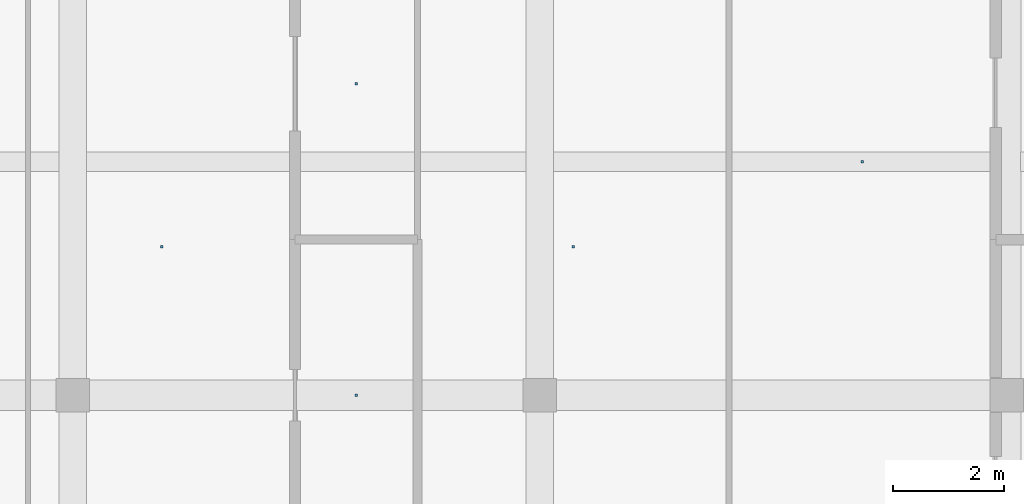
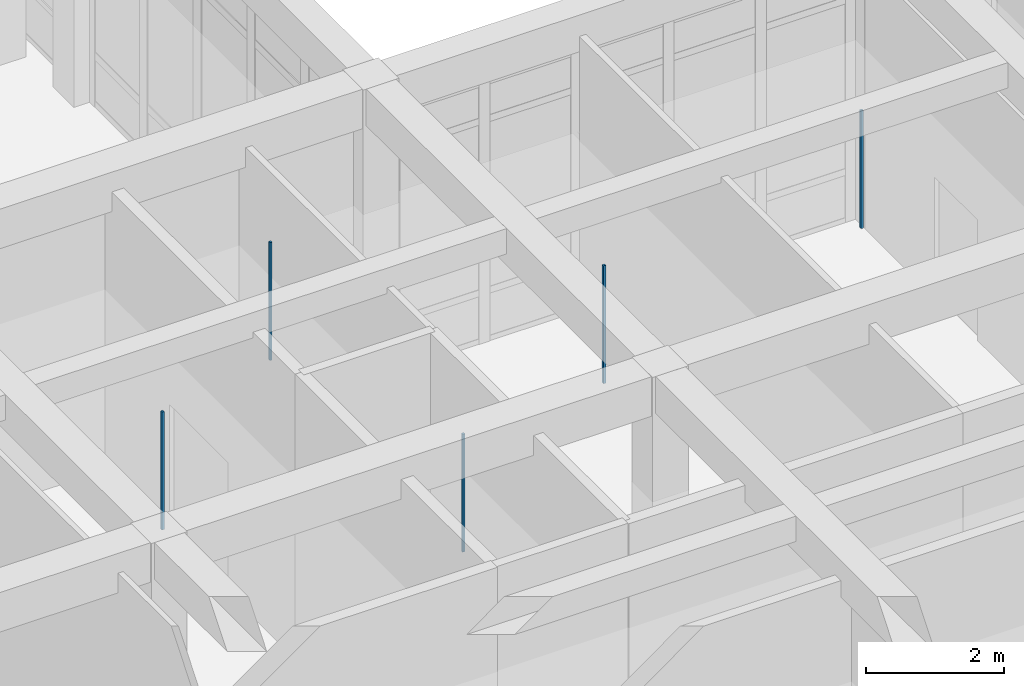
# One storey, part 102 of 157: 5 discrete accessories.
"""IFC4 building model written with IfcOpenShell, lengths in metres."""

from ifc_helpers import new_model, si_unit, direction, frame, origin, origin_2d, place, context, subcontext, project, spatial, rectangle, extrude, material, type_object, element, save


model = new_model("IFC4")

# Units and contexts
model_context = context("Model", 3, precision=1e-05, world=origin(), true_north=direction((0.0, 1.0)))
body_context = subcontext(model_context, "Body", "Model", "MODEL_VIEW")
ifc_project = project(units=[si_unit("LENGTHUNIT", "METRE"), si_unit("AREAUNIT", "SQUARE_METRE"), si_unit("VOLUMEUNIT", "CUBIC_METRE"), si_unit("PLANEANGLEUNIT", "RADIAN"), si_unit("MASSUNIT", "GRAM", prefix="KILO")], contexts=[model_context])

# Site, building, storey
site_placement = place(None, origin())
site = spatial("IfcSite", under=ifc_project, at=site_placement, CompositionType="ELEMENT")
building_placement = place(site_placement, origin())
building = spatial("IfcBuilding", under=site, at=building_placement, Name="Varncliffe General Hospital", CompositionType="ELEMENT")
storey_placement = place(building_placement, frame((0.0, 0.0, 5.39990234375)))
storey = spatial("IfcBuildingStorey", under=building, at=storey_placement, Name="L01", CompositionType="ELEMENT", Elevation=5.39990234375)

# Discrete accessories
ifc_material = material(Name="Powder-coated hospital steel guardrail and handrail", Category="steel")
discrete_accessory_type = type_object("IfcDiscreteAccessoryType", Name="Suspended Ceiling Hanger Bracket CH01", PredefinedType="BRACKET", material=ifc_material)
for number, where, z_axis, x_axis, name in (
    (1, (18.39990234375, 35.070068359375, 3.18994140625), (0.0, 0.0, 1.0), (1.0, 0.0, 0.0), "L01 Suspended Ceiling Hanger 131"),
    (2, (21.89990234375, 32.39990234375, 3.18994140625), (0.0, 0.0, 1.0), (1.0, 0.0, 0.0), "L01 Suspended Ceiling Hanger 132"),
    (3, (21.89990234375, 38.0, 3.18994140625), (0.0, 0.0, 1.0), (1.0, 0.0, 0.0), "L01 Suspended Ceiling Hanger 133"),
    (4, (25.800048828125, 35.070068359375, 3.18994140625), (0.0, 0.0, 1.0), (1.0, 0.0, 0.0), "L01 Suspended Ceiling Hanger 134"),
    (5, (31.0, 36.60009765625, 3.18994140625), (0.0, 0.0, 1.0), (1.0, 0.0, 0.0), "L01 Suspended Ceiling Hanger 135"),
):
    element("IfcDiscreteAccessory", number, at=place(storey_placement, frame(where, z_axis=z_axis, x_axis=x_axis)), inside=storey, type_object=discrete_accessory_type, Name=name, PredefinedType="BRACKET", context=body_context, shape_type="SweptSolid", body=[
        extrude(rectangle(XDim=0.0400390625, YDim=0.0400390625, at=origin_2d()), origin(), (0.0, 0.0, 1.0), 2.090087890625),
    ])

save(model, "model.ifc")
